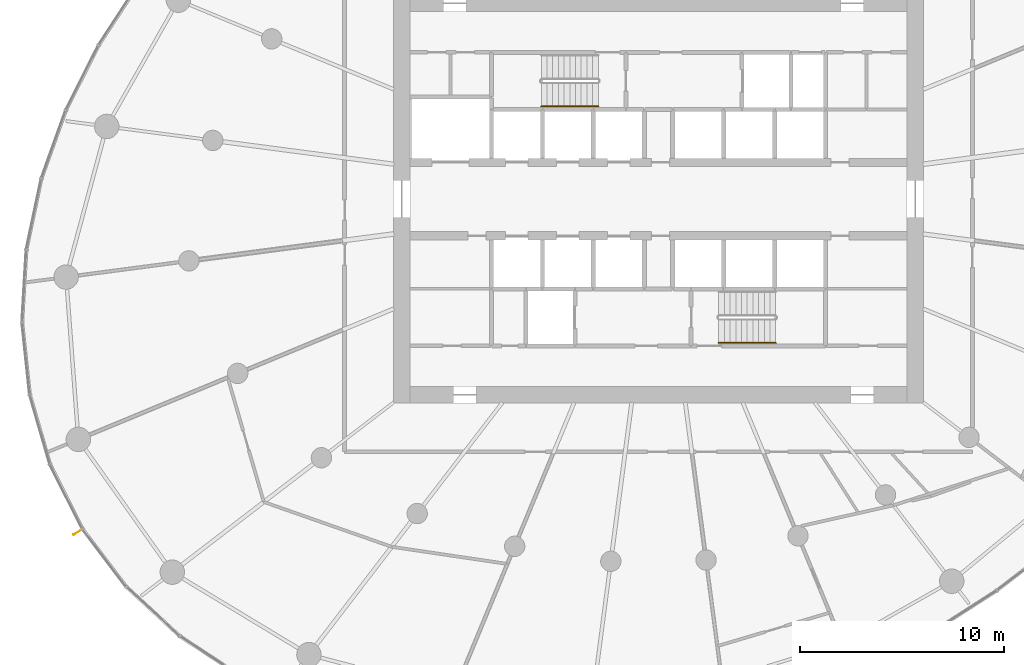
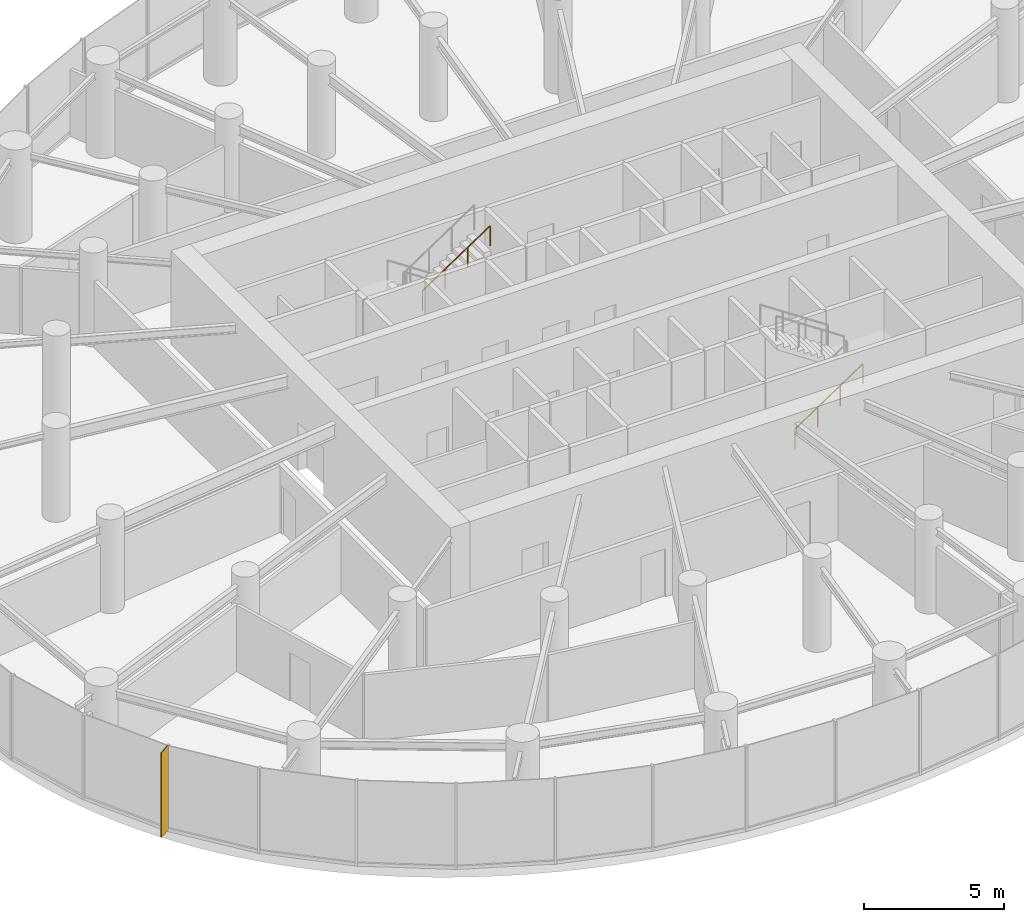
# One storey, part 15 of 17: 2 railings, 1 shading device.
"""IFC4 building model written with IfcOpenShell, lengths in metres."""

import ifcopenshell
import ifcopenshell.guid

model = None  # the IFC model being written
_history = None  # IfcOwnerHistory: only IFC2X3 demands one
_inside = {}  # id of a spatial element -> (the spatial element, [elements in it])
_under = {}  # id of a project, library or spatial element -> (it, [spatial elements below it])
_declared = {}  # id of a project -> (the project, [libraries it declares])
_typed = {}  # id of a type object -> (the type object, [elements of that type])
_made_of = {}  # id of a material, layer set ... -> (it, [elements and type objects made of it])


def new_model(schema):
    """Start an empty IFC model of exactly this schema.

    Asked for "IFC4X3", IfcOpenShell would pick the latest addendum, in which some entities
    have other attributes; the version numbers below select the first issue.
    IFC2X3 requires an IfcOwnerHistory on every rooted entity: one is made here for all.
    """
    global model, _history
    if schema == "IFC4X3":
        model = ifcopenshell.file(schema_version=(4, 3, 0, 0))
    else:
        model = ifcopenshell.file(schema=schema)
    _inside.clear()
    _under.clear()
    _declared.clear()
    _typed.clear()
    _made_of.clear()
    _history = None
    if model.schema == "IFC2X3":
        org = make("IfcOrganization", Name="unknown")
        user = make(
            "IfcPersonAndOrganization",
            ThePerson=make("IfcPerson", FamilyName="unknown"),
            TheOrganization=org,
        )
        app = make(
            "IfcApplication",
            ApplicationDeveloper=org,
            Version="unknown",
            ApplicationFullName="unknown",
            ApplicationIdentifier="unknown",
        )
        _history = make(
            "IfcOwnerHistory",
            OwningUser=user,
            OwningApplication=app,
            ChangeAction="ADDED",
            CreationDate=0,
        )
    return model


def make(cls, **values):
    """One entity of the class cls with the attributes given. An attribute that is None is left unset."""
    return model.create_entity(
        cls, **{name: value for name, value in values.items() if value is not None}
    )


def rooted(cls, **values):
    """An entity with a GlobalId (a new one), such as an element, a storey or a relation."""
    return make(cls, GlobalId=ifcopenshell.guid.new(), OwnerHistory=_history, **values)


def si_unit(unit_type, name, prefix=None):
    """IfcSIUnit, for example si_unit("LENGTHUNIT", "METRE", prefix="MILLI")."""
    return make("IfcSIUnit", UnitType=unit_type, Prefix=prefix, Name=name)


def assignment(units):
    """IfcUnitAssignment: the units of a project."""
    return None if units is None else make("IfcUnitAssignment", Units=units)


def point(xyz):
    """IfcCartesianPoint."""
    return None if xyz is None else make("IfcCartesianPoint", Coordinates=xyz)


def direction(xyz):
    """IfcDirection."""
    return None if xyz is None else make("IfcDirection", DirectionRatios=xyz)


def frame(location, z_axis=None, x_axis=None):
    """IfcAxis2Placement3D, a coordinate frame: its origin and axes. An axis left out is left unset."""
    return make(
        "IfcAxis2Placement3D",
        Location=point(location),
        Axis=direction(z_axis),
        RefDirection=direction(x_axis),
    )


def frame_2d(location, x_axis=None):
    """IfcAxis2Placement2D, a coordinate frame in the plane: its origin and x axis."""
    return make(
        "IfcAxis2Placement2D", Location=point(location), RefDirection=direction(x_axis)
    )


def origin():
    """The frame at (0, 0, 0) with its axes left unset."""
    return frame((0.0, 0.0, 0.0))


def origin_2d():
    """The frame at (0, 0) in the plane with its x axis left unset."""
    return frame_2d((0.0, 0.0))


def place(relative_to, where):
    """IfcLocalPlacement: puts the frame where relative to a parent placement (None: the world)."""
    return make(
        "IfcLocalPlacement", PlacementRelTo=relative_to, RelativePlacement=where
    )


def context(
    kind, dimensions, precision=None, world=None, true_north=None, identifier=None
):
    """IfcGeometricRepresentationContext, for example the 3D "Model" context."""
    return make(
        "IfcGeometricRepresentationContext",
        ContextIdentifier=identifier,
        ContextType=kind,
        CoordinateSpaceDimension=dimensions,
        Precision=precision,
        WorldCoordinateSystem=world,
        TrueNorth=true_north,
    )


def subcontext(parent, identifier, kind, view, scale=None):
    """IfcGeometricRepresentationSubContext, for example "Body" below "Model"."""
    return make(
        "IfcGeometricRepresentationSubContext",
        ContextIdentifier=identifier,
        ContextType=kind,
        ParentContext=parent,
        TargetScale=scale,
        TargetView=view,
    )


def project(units=None, contexts=None):
    """IfcProject with its units and contexts."""
    return rooted(
        "IfcProject",
        Name="project",
        RepresentationContexts=contexts,
        UnitsInContext=assignment(units),
    )


def spatial(cls, under=None, at=None, **own):
    """A site, building, storey or space (cls), placed at a placement, below another one or the project."""
    s = rooted(cls, ObjectPlacement=at, **own)
    if under is not None:
        _under.setdefault(under.id(), (under, []))[1].append(s)
    return s


def profile(cls, at=None, kind="AREA", **sizes):
    """A parametric profile (cls). Its sizes go by their IFC names, for example OverallWidth=200.0."""
    return make(cls, ProfileType=kind, Position=at, **sizes)


def rectangle(**sizes):
    """IfcRectangleProfileDef."""
    return profile("IfcRectangleProfileDef", **sizes)


def circle(**sizes):
    """IfcCircleProfileDef."""
    return profile("IfcCircleProfileDef", **sizes)


def extrude(swept, where, along, depth):
    """IfcExtrudedAreaSolid: the profile swept, set in the frame where, extruded along a direction by depth."""
    return make(
        "IfcExtrudedAreaSolid",
        SweptArea=swept,
        Position=where,
        ExtrudedDirection=direction(along),
        Depth=depth,
    )


def shape(context_of_items, identifier, shape_type, items):
    """IfcShapeRepresentation: the items that make up one representation, for example the "Body"."""
    return make(
        "IfcShapeRepresentation",
        ContextOfItems=context_of_items,
        RepresentationIdentifier=identifier,
        RepresentationType=shape_type,
        Items=items,
    )


def source(mapping_origin, context_of_items, identifier, shape_type, items):
    """IfcRepresentationMap: a shape defined once, which mapped items show again and again."""
    return make(
        "IfcRepresentationMap",
        MappingOrigin=mapping_origin,
        MappedRepresentation=shape(context_of_items, identifier, shape_type, items),
    )


def transform(
    local_origin,
    x_axis=None,
    y_axis=None,
    z_axis=None,
    scale=None,
    scale2=None,
    scale3=None,
    uniform=True,
):
    """IfcCartesianTransformationOperator3D, or its non-uniform kind. x_axis, y_axis, z_axis: its Axis1, 2, 3."""
    if uniform:
        return make(
            "IfcCartesianTransformationOperator3D",
            Axis1=direction(x_axis),
            Axis2=direction(y_axis),
            LocalOrigin=point(local_origin),
            Scale=scale,
            Axis3=direction(z_axis),
        )
    return make(
        "IfcCartesianTransformationOperator3DnonUniform",
        Axis1=direction(x_axis),
        Axis2=direction(y_axis),
        LocalOrigin=point(local_origin),
        Scale=scale,
        Axis3=direction(z_axis),
        Scale2=scale2,
        Scale3=scale3,
    )


def mapped(mapping_source, mapping_target):
    """IfcMappedItem: shows the shape of a source again, moved by a transform."""
    return make(
        "IfcMappedItem", MappingSource=mapping_source, MappingTarget=mapping_target
    )


def material(Name=None, Category=None):
    """IfcMaterial."""
    return make("IfcMaterial", Name=Name, Category=Category)


def material_profile(
    of_material, cross_section, Name=None, Category=None, Priority=None
):
    """IfcMaterialProfile: a cross section and its material."""
    return make(
        "IfcMaterialProfile",
        Name=Name,
        Material=of_material,
        Profile=cross_section,
        Priority=Priority,
        Category=Category,
    )


def profile_set(profiles, Name=None, composite=None):
    """IfcMaterialProfileSet."""
    return make(
        "IfcMaterialProfileSet",
        Name=Name,
        MaterialProfiles=profiles,
        CompositeProfile=composite,
    )


def made_of(thing, what):
    """Note that an element or type object is made of a material, layer set ...; save() writes the relation."""
    if what is not None:
        _made_of.setdefault(what.id(), (what, []))[1].append(thing)
    return thing


def type_object(cls, material=None, **own):
    """A type object (cls), such as IfcWallType, which elements share."""
    return made_of(rooted(cls, **own), material)


def element(
    cls,
    number,
    at=None,
    inside=None,
    cuts=None,
    type_object=None,
    material=None,
    context=None,
    identifier="Body",
    shape_type=None,
    held_by="IfcProductDefinitionShape",
    body=None,
    shapes=None,
    **own,
):
    """One element of the class cls, such as IfcWall. Its Tag is "e" and its number.

    at: its placement. inside: the storey or other place that contains it. cuts: it is an
    opening in that element (IfcRelVoidsElement). A single representation is given by context,
    identifier, shape_type and body (its items); several are given by shapes. held_by: the class
    of the entity that holds the representations. save() writes the other relations.
    """
    e = rooted(cls, Tag="e%d" % number, ObjectPlacement=at, **own)
    if body is not None:
        shapes = [shape(context, identifier, shape_type, body)]
    if shapes is not None:
        e.Representation = make(held_by, Representations=shapes)
    if inside is not None:
        _inside.setdefault(inside.id(), (inside, []))[1].append(e)
    if cuts is not None:
        rooted(
            "IfcRelVoidsElement", RelatingBuildingElement=cuts, RelatedOpeningElement=e
        )
    if type_object is not None:
        _typed.setdefault(type_object.id(), (type_object, []))[1].append(e)
    return made_of(e, material)


def aggregate(whole, parts):
    """IfcRelAggregates: a whole, such as a stair, and the parts it consists of."""
    return rooted("IfcRelAggregates", RelatingObject=whole, RelatedObjects=parts)


def save(model, path):
    """Write the relations noted so far, then the file.

    IfcRelAggregates (storeys below a building ...), IfcRelContainedInSpatialStructure (elements
    in a storey), IfcRelDefinesByType, IfcRelAssociatesMaterial and IfcRelDeclares: one each for
    every whole, place, type object, material and project.
    """
    for whole, parts in _under.values():
        aggregate(whole, parts)
    for where, things in _inside.values():
        rooted(
            "IfcRelContainedInSpatialStructure",
            RelatedElements=things,
            RelatingStructure=where,
        )
    for kind, things in _typed.values():
        rooted("IfcRelDefinesByType", RelatedObjects=things, RelatingType=kind)
    for what, things in _made_of.values():
        rooted("IfcRelAssociatesMaterial", RelatedObjects=things, RelatingMaterial=what)
    for by, libraries in _declared.values():
        rooted("IfcRelDeclares", RelatingContext=by, RelatedDefinitions=libraries)
    model.write(path)


model = new_model("IFC4")

# Units and contexts
model_context = context("Model", 3, precision=1e-05, world=origin(), true_north=direction((0.0, 1.0)))
body_context = subcontext(model_context, "Body", "Model", "MODEL_VIEW")
ifc_project = project(units=[si_unit("LENGTHUNIT", "METRE"), si_unit("AREAUNIT", "SQUARE_METRE"), si_unit("VOLUMEUNIT", "CUBIC_METRE"), si_unit("PLANEANGLEUNIT", "RADIAN"), si_unit("MASSUNIT", "GRAM", prefix="KILO")], contexts=[model_context])

# Site, building, storey
site_placement = place(None, origin())
site = spatial("IfcSite", under=ifc_project, at=site_placement, CompositionType="ELEMENT")
building_placement = place(site_placement, origin())
building = spatial("IfcBuilding", under=site, at=building_placement, Name="Spindrift Exchange Tower", CompositionType="ELEMENT")
storey_placement = place(building_placement, frame((0.0, 0.0, 100.300048828125)))
storey = spatial("IfcBuildingStorey", under=building, at=storey_placement, Name="L23", CompositionType="ELEMENT", Elevation=100.300048828125)

# Railings
ifc_material_1 = material(Name="Steel tubular handrail", Category="steel")
railing_type = type_object("IfcRailingType", Name="RL-STAIR-HAND", PredefinedType="HANDRAIL", material=ifc_material_1)
railing_1_placement = place(storey_placement, frame((46.25, 52.550048828125, 2.236328125)))
element("IfcRailing", 1, at=railing_1_placement, inside=storey, type_object=railing_type, Name="L23 ST1 stair handrail 2", PredefinedType="HANDRAIL", context=body_context, shape_type="SweptSolid", body=[
    extrude(circle(Radius=0.02392578125, at=origin_2d()), frame((0.0, 0.0, 0.8759765625), z_axis=(0.832485552168, 0.0, 0.554046753832), x_axis=(0.0, 1.0, 0.0)), (0.0, 0.0, 1.0), 3.363525390625),
    extrude(circle(Radius=0.02099609375, at=origin_2d()), origin(), (0.0, 0.0, 1.0), 0.851806640625),
    extrude(circle(Radius=0.02099609375, at=origin_2d()), frame((0.933349609375, 0.0, 0.62109375)), (0.0, 0.0, 1.0), 0.851806640625),
    extrude(circle(Radius=0.02099609375, at=origin_2d()), frame((1.86669921875, 0.0, 1.242431640625)), (0.0, 0.0, 1.0), 0.851806640625),
    extrude(circle(Radius=0.02099609375, at=origin_2d()), frame((2.800048828125, 0.0, 1.863525390625)), (0.0, 0.0, 1.0), 0.851806640625),
])
railing_2_placement = place(storey_placement, frame((54.949951171875, 40.949951171875, 0.186279296875)))
element("IfcRailing", 2, at=railing_2_placement, inside=storey, type_object=railing_type, Name="L23 ST2 stair handrail 1", PredefinedType="HANDRAIL", context=body_context, shape_type="SweptSolid", body=[
    extrude(circle(Radius=0.02392578125, at=origin_2d()), frame((0.0, 0.0, 0.8759765625), z_axis=(0.832452072856, 0.0, 0.554097055034), x_axis=(0.0, 1.0, 0.0)), (0.0, 0.0, 1.0), 3.363525390625),
    extrude(circle(Radius=0.02099609375, at=origin_2d()), origin(), (0.0, 0.0, 1.0), 0.851806640625),
    extrude(circle(Radius=0.02099609375, at=origin_2d()), frame((0.933349609375, 0.0, 0.621337890625)), (0.0, 0.0, 1.0), 0.851806640625),
    extrude(circle(Radius=0.02099609375, at=origin_2d()), frame((1.86669921875, 0.0, 1.242431640625)), (0.0, 0.0, 1.0), 0.851806640625),
    extrude(circle(Radius=0.02099609375, at=origin_2d()), frame((2.800048828125, 0.0, 1.86376953125)), (0.0, 0.0, 1.0), 0.851806640625),
])

# Shading device
ifc_material_2 = material(Name="Bronze anodised aluminium", Category="aluminium")
ifc_material_profile = material_profile(ifc_material_2, rectangle(XDim=0.030029296875, YDim=0.550048828125, at=origin_2d()), Name="WIND FIN 30X550")
ifc_profile_set = profile_set([ifc_material_profile], Name="Bronze anodised aluminium")
shading_device_type = type_object("IfcShadingDeviceType", Name="WIND FIN 30X550", PredefinedType="USERDEFINED", material=ifc_profile_set)
shared_shape = source(origin(), body_context, "Body", "SweptSolid", [
    extrude(rectangle(XDim=0.030029296875, YDim=0.550048828125, at=origin_2d()), origin(), (0.0, 0.0, 1.0), 3.699951171875),
])
shading_device_placement = place(storey_placement, frame((23.53759765625, 31.681396484375, 0.0), z_axis=(0.0, 0.0, 1.0), x_axis=(0.52887685778, -0.848698573879, 0.0)))
element("IfcShadingDevice", 3, at=shading_device_placement, inside=storey, type_object=shading_device_type, Name="L23 wind fin 1", ObjectType="FIN", PredefinedType="USERDEFINED", context=body_context, shape_type="MappedRepresentation", body=[
    mapped(shared_shape, transform((0.0, 0.0, 0.0), scale=1.0)),
])

save(model, "model.ifc")
